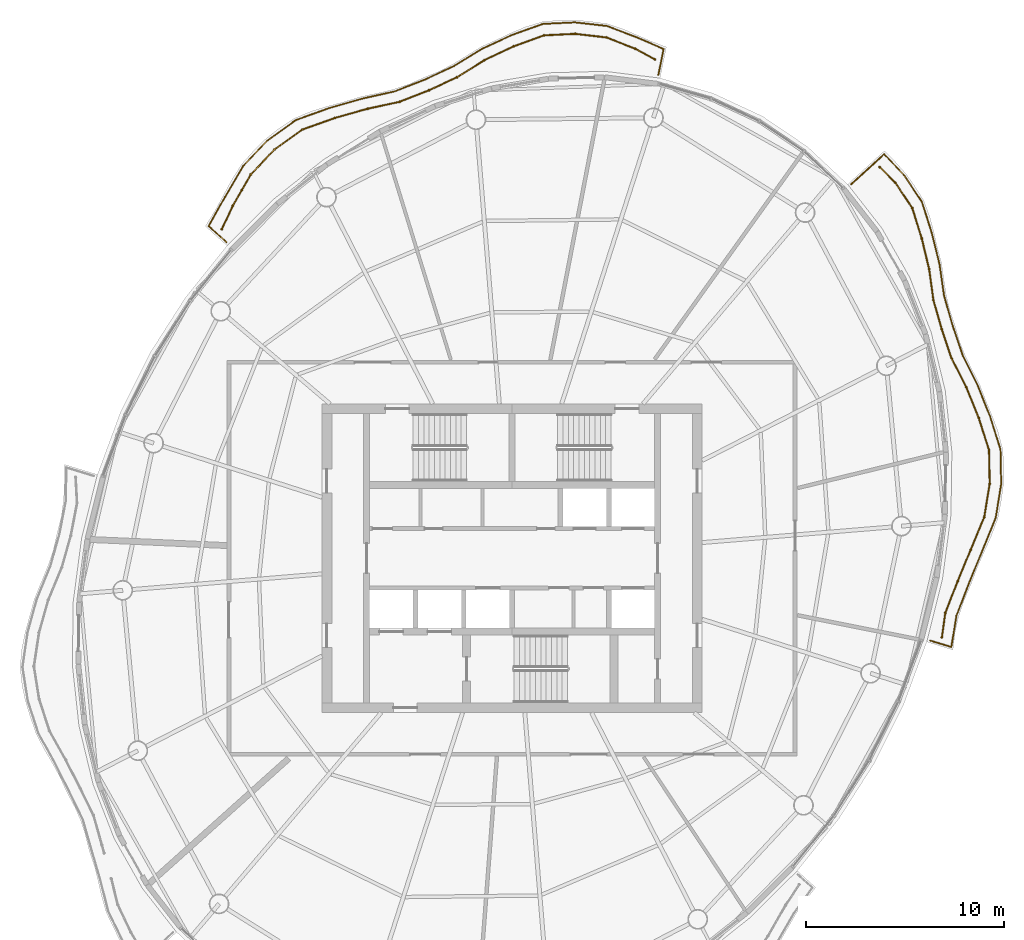
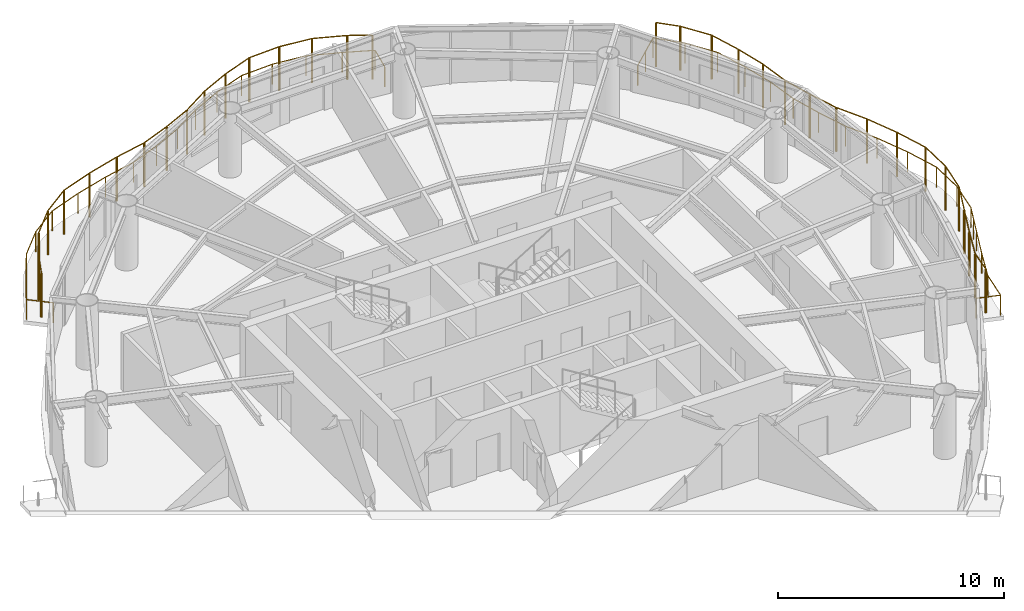
# One storey, part 13 of 13: 4 railings.
"""IFC4 building model written with IfcOpenShell, lengths in metres."""

from ifc_helpers import new_model, si_unit, direction, frame, origin, origin_2d, place, context, subcontext, project, spatial, circle, extrude, material, type_object, element, save


model = new_model("IFC4")

# Units and contexts
model_context = context("Model", 3, precision=1e-05, world=origin(), true_north=direction((0.0, 1.0)))
body_context = subcontext(model_context, "Body", "Model", "MODEL_VIEW")
ifc_project = project(units=[si_unit("LENGTHUNIT", "METRE"), si_unit("AREAUNIT", "SQUARE_METRE"), si_unit("VOLUMEUNIT", "CUBIC_METRE"), si_unit("PLANEANGLEUNIT", "RADIAN"), si_unit("MASSUNIT", "GRAM", prefix="KILO")], contexts=[model_context])

# Site, building, storey
site_placement = place(None, origin())
site = spatial("IfcSite", under=ifc_project, at=site_placement, CompositionType="ELEMENT")
building_placement = place(site_placement, origin())
building = spatial("IfcBuilding", under=site, at=building_placement, Name="Vermilion Reach Broadcast Tower", CompositionType="ELEMENT")
storey_placement = place(building_placement, frame((0.0, 0.0, 275.699951171875)))
storey = spatial("IfcBuildingStorey", under=building, at=storey_placement, Name="L68", CompositionType="ELEMENT", Elevation=275.699951171875)

# Railings
ifc_material_1 = material(Name="Terracotta baguette", Category="masonry")
railing_type_1 = type_object("IfcRailingType", Name="BAGUETTE SCREEN", PredefinedType="USERDEFINED", material=ifc_material_1)
railing_1_placement = place(storey_placement, frame((1.210205078125, 25.193115234375, 0.0)))
element("IfcRailing", 1, at=railing_1_placement, inside=storey, type_object=railing_type_1, Name="Baguette screen L68 group 1", ObjectType="BAGUETTE SCREEN", PredefinedType="USERDEFINED", context=body_context, shape_type="SweptSolid", body=[
    extrude(circle(Radius=0.030029296875, at=origin_2d()), frame((0.0, 0.0, 2.369873046875), z_axis=(-0.876029955715, 0.482256691701, 0.0), x_axis=(-0.482256691701, -0.876029955715, 0.0)), (0.0, 0.0, 1.0), 1.109130859375),
    extrude(circle(Radius=0.030029296875, at=origin_2d()), frame((-0.9716796875, 0.534912109375, 2.369873046875), z_axis=(-0.931564904261, 0.363575066732, 0.0), x_axis=(-0.363575066732, -0.931564904261, 0.0)), (0.0, 0.0, 1.0), 1.586181640625),
    extrude(circle(Radius=0.030029296875, at=origin_2d()), frame((-2.44921875, 1.111572265625, 2.369873046875), z_axis=(-0.993429859276, 0.114442626235, 0.0), x_axis=(-0.114442626235, -0.993429859276, 0.0)), (0.0, 0.0, 1.0), 1.5830078125),
    extrude(circle(Radius=0.030029296875, at=origin_2d()), frame((-4.021728515625, 1.292724609375, 2.369873046875), z_axis=(-0.998852301695, -0.047896548917, 0.0), x_axis=(0.047896548917, -0.998852301695, 0.0)), (0.0, 0.0, 1.0), 1.574951171875),
    extrude(circle(Radius=0.030029296875, at=origin_2d()), frame((-5.594970703125, 1.21728515625, 2.369873046875), z_axis=(-0.93977600639, -0.341790956307, 0.0), x_axis=(0.341790956307, -0.93977600639, 0.0)), (0.0, 0.0, 1.0), 1.63720703125),
    extrude(circle(Radius=0.030029296875, at=origin_2d()), frame((-7.133544921875, 0.65771484375, 2.369873046875), z_axis=(-0.904883848526, -0.425658572893, 0.0), x_axis=(0.425658572893, -0.904883848526, 0.0)), (0.0, 0.0, 1.0), 1.613525390625),
    extrude(circle(Radius=0.030029296875, at=origin_2d()), frame((-8.593505859375, -0.029052734375, 2.369873046875), z_axis=(-0.848896908954, -0.528558452745, 0.0), x_axis=(0.528558452745, -0.848896908954, 0.0)), (0.0, 0.0, 1.0), 1.646240234375),
    extrude(circle(Radius=0.030029296875, at=origin_2d()), frame((-9.990966796875, -0.899169921875, 2.369873046875), z_axis=(-0.90715800323, -0.420790158125, 0.0), x_axis=(0.420790158125, -0.90715800323, 0.0)), (0.0, 0.0, 1.0), 1.563720703125),
    extrude(circle(Radius=0.030029296875, at=origin_2d()), frame((-11.409423828125, -1.55712890625, 2.369873046875), z_axis=(-0.93066013426, -0.365884837756, 0.0), x_axis=(0.365884837756, -0.93066013426, 0.0)), (0.0, 0.0, 1.0), 1.592041015625),
    extrude(circle(Radius=0.030029296875, at=origin_2d()), frame((-12.89111328125, -2.1396484375, 2.369873046875), z_axis=(-0.977379571209, -0.211492727496, 0.0), x_axis=(0.211492727496, -0.977379571209, 0.0)), (0.0, 0.0, 1.0), 1.6552734375),
    extrude(circle(Radius=0.030029296875, at=origin_2d()), frame((-14.509033203125, -2.48974609375, 2.369873046875), z_axis=(-0.962477258141, -0.271362354722, 0.0), x_axis=(0.271362354722, -0.962477258141, 0.0)), (0.0, 0.0, 1.0), 1.71923828125),
    extrude(circle(Radius=0.030029296875, at=origin_2d()), frame((-16.163818359375, -2.956298828125, 2.369873046875), z_axis=(-0.942384922519, -0.334530503555, 0.0), x_axis=(0.334530503555, -0.942384922519, 0.0)), (0.0, 0.0, 1.0), 1.739013671875),
    extrude(circle(Radius=0.030029296875, at=origin_2d()), frame((-17.802734375, -3.5380859375, 2.369873046875), z_axis=(-0.812675972948, -0.582715850989, 0.0), x_axis=(0.582715850989, -0.812675972948, 0.0)), (0.0, 0.0, 1.0), 1.733642578125),
    extrude(circle(Radius=0.030029296875, at=origin_2d()), frame((-19.211669921875, -4.54833984375, 2.369873046875), z_axis=(-0.687799242655, -0.725900958673, 0.0), x_axis=(0.725900958673, -0.687799242655, 0.0)), (0.0, 0.0, 1.0), 1.736572265625),
    extrude(circle(Radius=0.030029296875, at=origin_2d()), frame((-20.406005859375, -5.808837890625, 2.369873046875), z_axis=(-0.500919080353, -0.865494121839, 0.0), x_axis=(0.865494121839, -0.500919080353, 0.0)), (0.0, 0.0, 1.0), 1.806640625),
    extrude(circle(Radius=0.030029296875, at=origin_2d()), frame((-21.31103515625, -7.37255859375, 2.369873046875), z_axis=(-0.422006036506, -0.906593020684, 0.0), x_axis=(0.906593020684, -0.422006036506, 0.0)), (0.0, 0.0, 1.0), 1.322509765625),
    extrude(circle(Radius=0.050048828125, at=origin_2d()), origin(), (0.0, 0.0, 1.0), 2.33984375),
    extrude(circle(Radius=0.050048828125, at=origin_2d()), frame((-0.9716796875, 0.534912109375, 0.0)), (0.0, 0.0, 1.0), 2.33984375),
    extrude(circle(Radius=0.050048828125, at=origin_2d()), frame((-2.44921875, 1.111572265625, 0.0)), (0.0, 0.0, 1.0), 2.33984375),
    extrude(circle(Radius=0.050048828125, at=origin_2d()), frame((-4.021728515625, 1.292724609375, 0.0)), (0.0, 0.0, 1.0), 2.33984375),
    extrude(circle(Radius=0.050048828125, at=origin_2d()), frame((-5.594970703125, 1.21728515625, 0.0)), (0.0, 0.0, 1.0), 2.33984375),
    extrude(circle(Radius=0.050048828125, at=origin_2d()), frame((-7.133544921875, 0.65771484375, 0.0)), (0.0, 0.0, 1.0), 2.33984375),
    extrude(circle(Radius=0.050048828125, at=origin_2d()), frame((-8.593505859375, -0.029052734375, 0.0)), (0.0, 0.0, 1.0), 2.33984375),
    extrude(circle(Radius=0.050048828125, at=origin_2d()), frame((-9.990966796875, -0.899169921875, 0.0)), (0.0, 0.0, 1.0), 2.33984375),
    extrude(circle(Radius=0.050048828125, at=origin_2d()), frame((-11.409423828125, -1.55712890625, 0.0)), (0.0, 0.0, 1.0), 2.33984375),
    extrude(circle(Radius=0.050048828125, at=origin_2d()), frame((-12.89111328125, -2.1396484375, 0.0)), (0.0, 0.0, 1.0), 2.33984375),
    extrude(circle(Radius=0.050048828125, at=origin_2d()), frame((-14.509033203125, -2.48974609375, 0.0)), (0.0, 0.0, 1.0), 2.33984375),
    extrude(circle(Radius=0.050048828125, at=origin_2d()), frame((-16.163818359375, -2.956298828125, 0.0)), (0.0, 0.0, 1.0), 2.33984375),
    extrude(circle(Radius=0.050048828125, at=origin_2d()), frame((-17.802734375, -3.5380859375, 0.0)), (0.0, 0.0, 1.0), 2.33984375),
    extrude(circle(Radius=0.050048828125, at=origin_2d()), frame((-19.211669921875, -4.54833984375, 0.0)), (0.0, 0.0, 1.0), 2.33984375),
    extrude(circle(Radius=0.050048828125, at=origin_2d()), frame((-20.406005859375, -5.808837890625, 0.0)), (0.0, 0.0, 1.0), 2.33984375),
    extrude(circle(Radius=0.050048828125, at=origin_2d()), frame((-20.8583984375, -6.5908203125, 0.0)), (0.0, 0.0, 1.0), 2.33984375),
    extrude(circle(Radius=0.050048828125, at=origin_2d()), frame((-21.31103515625, -7.37255859375, 0.0)), (0.0, 0.0, 1.0), 2.33984375),
    extrude(circle(Radius=0.050048828125, at=origin_2d()), frame((-21.869140625, -8.571533203125, 0.0)), (0.0, 0.0, 1.0), 2.33984375),
])
railing_2_placement = place(storey_placement, frame((15.709228515625, -3.993408203125, 0.0)))
element("IfcRailing", 2, at=railing_2_placement, inside=storey, type_object=railing_type_1, Name="Baguette screen L68 group 4", ObjectType="BAGUETTE SCREEN", PredefinedType="USERDEFINED", context=body_context, shape_type="SweptSolid", body=[
    extrude(circle(Radius=0.030029296875, at=origin_2d()), frame((0.0, 0.0, 2.369873046875), z_axis=(0.137766250914, 0.990464769747, 0.0), x_axis=(-0.990464769747, 0.137766250914, 0.0)), (0.0, 0.0, 1.0), 1.244140625),
    extrude(circle(Radius=0.030029296875, at=origin_2d()), frame((0.17138671875, 1.232177734375, 2.369873046875), z_axis=(0.362618829221, 0.931937543344, 0.0), x_axis=(-0.931937543344, 0.362618829221, 0.0)), (0.0, 0.0, 1.0), 1.706787109375),
    extrude(circle(Radius=0.030029296875, at=origin_2d()), frame((0.790283203125, 2.82275390625, 2.369873046875), z_axis=(0.382222632786, 0.924070267342, 0.0), x_axis=(-0.924070267342, 0.382222632786, 0.0)), (0.0, 0.0, 1.0), 1.725341796875),
    extrude(circle(Radius=0.030029296875, at=origin_2d()), frame((1.44970703125, 4.4169921875, 2.369873046875), z_axis=(0.384595940894, 0.923085024387, 0.0), x_axis=(-0.923085024387, 0.384595940894, 0.0)), (0.0, 0.0, 1.0), 1.783203125),
    extrude(circle(Radius=0.030029296875, at=origin_2d()), frame((2.135498046875, 6.06298828125, 2.369873046875), z_axis=(0.162799478712, 0.986659176074, 0.0), x_axis=(-0.986659176074, 0.162799478712, 0.0)), (0.0, 0.0, 1.0), 1.7080078125),
    extrude(circle(Radius=0.030029296875, at=origin_2d()), frame((2.41357421875, 7.748291015625, 2.369873046875), z_axis=(-0.020599434042, 0.999787809146, 0.0), x_axis=(-0.999787809146, -0.020599434042, 0.0)), (0.0, 0.0, 1.0), 1.70654296875),
    extrude(circle(Radius=0.030029296875, at=origin_2d()), frame((2.37841796875, 9.45458984375, 2.369873046875), z_axis=(-0.303984797063, 0.95267688287, 0.0), x_axis=(-0.95267688287, -0.303984797063, 0.0)), (0.0, 0.0, 1.0), 1.70263671875),
    extrude(circle(Radius=0.030029296875, at=origin_2d()), frame((1.86083984375, 11.07666015625, 2.369873046875), z_axis=(-0.376225668654, 0.92652806015, 0.0), x_axis=(-0.92652806015, -0.376225668654, 0.0)), (0.0, 0.0, 1.0), 1.687255859375),
    extrude(circle(Radius=0.030029296875, at=origin_2d()), frame((1.22607421875, 12.639892578125, 2.369873046875), z_axis=(-0.453799970821, 0.891103577865, 0.0), x_axis=(-0.891103577865, -0.453799970821, 0.0)), (0.0, 0.0, 1.0), 1.6279296875),
    extrude(circle(Radius=0.030029296875, at=origin_2d()), frame((0.4873046875, 14.090576171875, 2.369873046875), z_axis=(-0.321065484137, 0.947056996646, 0.0), x_axis=(-0.947056996646, -0.321065484137, 0.0)), (0.0, 0.0, 1.0), 1.55810546875),
    extrude(circle(Radius=0.030029296875, at=origin_2d()), frame((-0.012939453125, 15.566162109375, 2.369873046875), z_axis=(-0.273447711897, 0.961886869054, 0.0), x_axis=(-0.961886869054, -0.273447711897, 0.0)), (0.0, 0.0, 1.0), 1.51953125),
    extrude(circle(Radius=0.030029296875, at=origin_2d()), frame((-0.428466796875, 17.02783203125, 2.369873046875), z_axis=(-0.137668528631, 0.990478357272, 0.0), x_axis=(-0.990478357272, -0.137668528631, 0.0)), (0.0, 0.0, 1.0), 1.59423828125),
    extrude(circle(Radius=0.030029296875, at=origin_2d()), frame((-0.64794921875, 18.60693359375, 2.369873046875), z_axis=(-0.234943508354, 0.972009026647, 0.0), x_axis=(-0.972009026647, -0.234943508354, 0.0)), (0.0, 0.0, 1.0), 1.575439453125),
    extrude(circle(Radius=0.030029296875, at=origin_2d()), frame((-1.01806640625, 20.13818359375, 2.369873046875), z_axis=(-0.29640397631, 0.955062659111, 0.0), x_axis=(-0.955062659111, -0.29640397631, 0.0)), (0.0, 0.0, 1.0), 1.61279296875),
    extrude(circle(Radius=0.030029296875, at=origin_2d()), frame((-1.49609375, 21.678466796875, 2.369873046875), z_axis=(-0.555245016862, 0.831686822819, 0.0), x_axis=(-0.831686822819, -0.555245016862, 0.0)), (0.0, 0.0, 1.0), 1.55078125),
    extrude(circle(Radius=0.030029296875, at=origin_2d()), frame((-2.357177734375, 22.96826171875, 2.369873046875), z_axis=(-0.708536942199, 0.70567372173, 0.0), x_axis=(-0.70567372173, -0.708536942199, 0.0)), (0.0, 0.0, 1.0), 1.1083984375),
    extrude(circle(Radius=0.050048828125, at=origin_2d()), origin(), (0.0, 0.0, 1.0), 2.33984375),
    extrude(circle(Radius=0.050048828125, at=origin_2d()), frame((0.17138671875, 1.232177734375, 0.0)), (0.0, 0.0, 1.0), 2.33984375),
    extrude(circle(Radius=0.050048828125, at=origin_2d()), frame((0.790283203125, 2.82275390625, 0.0)), (0.0, 0.0, 1.0), 2.33984375),
    extrude(circle(Radius=0.050048828125, at=origin_2d()), frame((1.44970703125, 4.4169921875, 0.0)), (0.0, 0.0, 1.0), 2.33984375),
    extrude(circle(Radius=0.050048828125, at=origin_2d()), frame((2.135498046875, 6.06298828125, 0.0)), (0.0, 0.0, 1.0), 2.33984375),
    extrude(circle(Radius=0.050048828125, at=origin_2d()), frame((2.41357421875, 7.748291015625, 0.0)), (0.0, 0.0, 1.0), 2.33984375),
    extrude(circle(Radius=0.050048828125, at=origin_2d()), frame((2.37841796875, 9.45458984375, 0.0)), (0.0, 0.0, 1.0), 2.33984375),
    extrude(circle(Radius=0.050048828125, at=origin_2d()), frame((1.86083984375, 11.07666015625, 0.0)), (0.0, 0.0, 1.0), 2.33984375),
    extrude(circle(Radius=0.050048828125, at=origin_2d()), frame((1.22607421875, 12.639892578125, 0.0)), (0.0, 0.0, 1.0), 2.33984375),
    extrude(circle(Radius=0.050048828125, at=origin_2d()), frame((0.4873046875, 14.090576171875, 0.0)), (0.0, 0.0, 1.0), 2.33984375),
    extrude(circle(Radius=0.050048828125, at=origin_2d()), frame((-0.012939453125, 15.566162109375, 0.0)), (0.0, 0.0, 1.0), 2.33984375),
    extrude(circle(Radius=0.050048828125, at=origin_2d()), frame((-0.428466796875, 17.02783203125, 0.0)), (0.0, 0.0, 1.0), 2.33984375),
    extrude(circle(Radius=0.050048828125, at=origin_2d()), frame((-0.64794921875, 18.60693359375, 0.0)), (0.0, 0.0, 1.0), 2.33984375),
    extrude(circle(Radius=0.050048828125, at=origin_2d()), frame((-1.01806640625, 20.13818359375, 0.0)), (0.0, 0.0, 1.0), 2.33984375),
    extrude(circle(Radius=0.050048828125, at=origin_2d()), frame((-1.49609375, 21.678466796875, 0.0)), (0.0, 0.0, 1.0), 2.33984375),
    extrude(circle(Radius=0.050048828125, at=origin_2d()), frame((-2.357177734375, 22.96826171875, 0.0)), (0.0, 0.0, 1.0), 2.33984375),
    extrude(circle(Radius=0.050048828125, at=origin_2d()), frame((-3.142578125, 23.75048828125, 0.0)), (0.0, 0.0, 1.0), 2.33984375),
])
ifc_material_2 = material(Name="Stainless steel 316 balustrade", Category="steel")
railing_type_2 = type_object("IfcRailingType", Name="Balcony guard 1100", PredefinedType="BALUSTRADE", material=ifc_material_2)
railing_3_placement = place(storey_placement, frame((1.387451171875, 24.41064453125, 0.0)))
element("IfcRailing", 3, at=railing_3_placement, inside=storey, type_object=railing_type_2, Name="Balcony guard L68 group 1", PredefinedType="BALUSTRADE", context=body_context, shape_type="SweptSolid", body=[
    extrude(circle(Radius=0.02490234375, at=origin_2d()), frame((0.0, 0.0, 1.0751953125), z_axis=(0.198468086811, 0.980107350507, 0.0), x_axis=(-0.980107350507, 0.198468086811, 0.0)), (0.0, 0.0, 1.0), 1.337158203125),
    extrude(circle(Radius=0.02490234375, at=origin_2d()), frame((0.265380859375, 1.310546875, 1.0751953125), z_axis=(-0.917446089189, 0.397860117921, 0.0), x_axis=(-0.397860117921, -0.917446089189, 0.0)), (0.0, 0.0, 1.0), 1.464111328125),
    extrude(circle(Radius=0.02490234375, at=origin_2d()), frame((-1.077880859375, 1.89306640625, 1.0751953125), z_axis=(-0.934285618261, 0.356525431788, 0.0), x_axis=(-0.356525431788, -0.934285618261, 0.0)), (0.0, 0.0, 1.0), 1.627685546875),
    extrude(circle(Radius=0.02490234375, at=origin_2d()), frame((-2.5986328125, 2.473388671875, 1.0751953125), z_axis=(-0.993756730227, 0.111568638646, 0.0), x_axis=(-0.111568638646, -0.993756730227, 0.0)), (0.0, 0.0, 1.0), 1.6259765625),
    extrude(circle(Radius=0.02490234375, at=origin_2d()), frame((-4.21435546875, 2.65478515625, 1.0751953125), z_axis=(-0.998845816639, -0.048031599832, 0.0), x_axis=(0.048031599832, -0.998845816639, 0.0)), (0.0, 0.0, 1.0), 1.616455078125),
    extrude(circle(Radius=0.02490234375, at=origin_2d()), frame((-5.828857421875, 2.5771484375, 1.0751953125), z_axis=(-0.941527684804, -0.336935629977, 0.0), x_axis=(0.336935629977, -0.941527684804, 0.0)), (0.0, 0.0, 1.0), 1.677490234375),
    extrude(circle(Radius=0.02490234375, at=origin_2d()), frame((-7.408203125, 2.011962890625, 1.0751953125), z_axis=(-0.907278971019, -0.420529272165, 0.0), x_axis=(0.420529272165, -0.907278971019, 0.0)), (0.0, 0.0, 1.0), 1.651611328125),
    extrude(circle(Radius=0.02490234375, at=origin_2d()), frame((-8.90673828125, 1.3173828125, 1.0751953125), z_axis=(-0.852319790515, -0.523021007892, 0.0), x_axis=(0.523021007892, -0.852319790515, 0.0)), (0.0, 0.0, 1.0), 1.68359375),
    extrude(circle(Radius=0.02490234375, at=origin_2d()), frame((-10.341796875, 0.436767578125, 1.0751953125), z_axis=(-0.908075410014, -0.418806697329, 0.0), x_axis=(0.418806697329, -0.908075410014, 0.0)), (0.0, 0.0, 1.0), 1.600830078125),
    extrude(circle(Radius=0.02490234375, at=origin_2d()), frame((-11.79541015625, -0.233642578125, 1.0751953125), z_axis=(-0.930478053056, -0.366347639247, 0.0), x_axis=(0.366347639247, -0.930478053056, 0.0)), (0.0, 0.0, 1.0), 1.62939453125),
    extrude(circle(Radius=0.02490234375, at=origin_2d()), frame((-13.3115234375, -0.83056640625, 1.0751953125), z_axis=(-0.976258408506, -0.216609140668, 0.0), x_axis=(0.216609140668, -0.976258408506, 0.0)), (0.0, 0.0, 1.0), 1.689453125),
    extrude(circle(Radius=0.02490234375, at=origin_2d()), frame((-14.9609375, -1.196533203125, 1.0751953125), z_axis=(-0.961113184447, -0.276154751331, 0.0), x_axis=(0.276154751331, -0.961113184447, 0.0)), (0.0, 0.0, 1.0), 1.75390625),
    extrude(circle(Radius=0.02490234375, at=origin_2d()), frame((-16.646728515625, -1.680908203125, 1.0751953125), z_axis=(-0.940831181661, -0.338875622631, 0.0), x_axis=(0.338875622631, -0.940831181661, 0.0)), (0.0, 0.0, 1.0), 1.771484375),
    extrude(circle(Radius=0.02490234375, at=origin_2d()), frame((-18.3134765625, -2.28125, 1.0751953125), z_axis=(-0.812481376315, -0.582987146635, 0.0), x_axis=(0.582987146635, -0.812481376315, 0.0)), (0.0, 0.0, 1.0), 1.76806640625),
    extrude(circle(Radius=0.02490234375, at=origin_2d()), frame((-19.75, -3.31201171875, 1.0751953125), z_axis=(-0.689286236916, -0.724489119034, 0.0), x_axis=(0.724489119034, -0.689286236916, 0.0)), (0.0, 0.0, 1.0), 1.7685546875),
    extrude(circle(Radius=0.02490234375, at=origin_2d()), frame((-20.968994140625, -4.59326171875, 1.0751953125), z_axis=(-0.505364967527, -0.862905701451, 0.0), x_axis=(0.862905701451, -0.505364967527, 0.0)), (0.0, 0.0, 1.0), 1.838134765625),
    extrude(circle(Radius=0.02490234375, at=origin_2d()), frame((-21.89794921875, -6.179443359375, 1.0751953125), z_axis=(-0.487916531735, -0.872890289818, 0.0), x_axis=(0.872890289818, -0.487916531735, 0.0)), (0.0, 0.0, 1.0), 1.667236328125),
    extrude(circle(Radius=0.02490234375, at=origin_2d()), frame((-22.71142578125, -7.634765625, 1.0751953125), z_axis=(0.744089837802, -0.668079571069, 0.0), x_axis=(0.668079571069, 0.744089837802, 0.0)), (0.0, 0.0, 1.0), 1.20458984375),
    extrude(circle(Radius=0.02490234375, at=origin_2d()), origin(), (0.0, 0.0, 1.0), 1.050048828125),
    extrude(circle(Radius=0.02490234375, at=origin_2d()), frame((0.265380859375, 1.310546875, 0.0)), (0.0, 0.0, 1.0), 1.050048828125),
    extrude(circle(Radius=0.02490234375, at=origin_2d()), frame((-1.077880859375, 1.89306640625, 0.0)), (0.0, 0.0, 1.0), 1.050048828125),
    extrude(circle(Radius=0.02490234375, at=origin_2d()), frame((-2.5986328125, 2.473388671875, 0.0)), (0.0, 0.0, 1.0), 1.050048828125),
    extrude(circle(Radius=0.02490234375, at=origin_2d()), frame((-4.21435546875, 2.65478515625, 0.0)), (0.0, 0.0, 1.0), 1.050048828125),
    extrude(circle(Radius=0.02490234375, at=origin_2d()), frame((-5.828857421875, 2.5771484375, 0.0)), (0.0, 0.0, 1.0), 1.050048828125),
    extrude(circle(Radius=0.02490234375, at=origin_2d()), frame((-7.408203125, 2.011962890625, 0.0)), (0.0, 0.0, 1.0), 1.050048828125),
    extrude(circle(Radius=0.02490234375, at=origin_2d()), frame((-8.90673828125, 1.3173828125, 0.0)), (0.0, 0.0, 1.0), 1.050048828125),
    extrude(circle(Radius=0.02490234375, at=origin_2d()), frame((-10.341796875, 0.436767578125, 0.0)), (0.0, 0.0, 1.0), 1.050048828125),
    extrude(circle(Radius=0.02490234375, at=origin_2d()), frame((-11.79541015625, -0.233642578125, 0.0)), (0.0, 0.0, 1.0), 1.050048828125),
    extrude(circle(Radius=0.02490234375, at=origin_2d()), frame((-13.3115234375, -0.83056640625, 0.0)), (0.0, 0.0, 1.0), 1.050048828125),
    extrude(circle(Radius=0.02490234375, at=origin_2d()), frame((-14.9609375, -1.196533203125, 0.0)), (0.0, 0.0, 1.0), 1.050048828125),
    extrude(circle(Radius=0.02490234375, at=origin_2d()), frame((-16.646728515625, -1.680908203125, 0.0)), (0.0, 0.0, 1.0), 1.050048828125),
    extrude(circle(Radius=0.02490234375, at=origin_2d()), frame((-18.3134765625, -2.28125, 0.0)), (0.0, 0.0, 1.0), 1.050048828125),
    extrude(circle(Radius=0.02490234375, at=origin_2d()), frame((-19.75, -3.31201171875, 0.0)), (0.0, 0.0, 1.0), 1.050048828125),
    extrude(circle(Radius=0.02490234375, at=origin_2d()), frame((-20.968994140625, -4.59326171875, 0.0)), (0.0, 0.0, 1.0), 1.050048828125),
    extrude(circle(Radius=0.02490234375, at=origin_2d()), frame((-21.43359375, -5.38623046875, 0.0)), (0.0, 0.0, 1.0), 1.050048828125),
    extrude(circle(Radius=0.02490234375, at=origin_2d()), frame((-21.89794921875, -6.179443359375, 0.0)), (0.0, 0.0, 1.0), 1.050048828125),
    extrude(circle(Radius=0.02490234375, at=origin_2d()), frame((-22.71142578125, -7.634765625, 0.0)), (0.0, 0.0, 1.0), 1.050048828125),
    extrude(circle(Radius=0.02490234375, at=origin_2d()), frame((-21.815185546875, -8.439453125, 0.0)), (0.0, 0.0, 1.0), 1.050048828125),
])
railing_4_placement = place(storey_placement, frame((15.117919921875, -4.156005859375, 0.0)))
element("IfcRailing", 4, at=railing_4_placement, inside=storey, type_object=railing_type_2, Name="Balcony guard L68 group 4", PredefinedType="BALUSTRADE", context=body_context, shape_type="SweptSolid", body=[
    extrude(circle(Radius=0.02490234375, at=origin_2d()), frame((0.0, 0.0, 1.0751953125), z_axis=(0.955679565642, -0.294408844661, 0.0), x_axis=(0.294408844661, 0.955679565642, 0.0)), (0.0, 0.0, 1.0), 1.115234375),
    extrude(circle(Radius=0.02490234375, at=origin_2d()), frame((1.06591796875, -0.328369140625, 1.0751953125), z_axis=(0.161758021778, 0.986830452707, 0.0), x_axis=(-0.986830452707, 0.161758021778, 0.0)), (0.0, 0.0, 1.0), 1.6044921875),
    extrude(circle(Radius=0.02490234375, at=origin_2d()), frame((1.325439453125, 1.2548828125, 1.0751953125), z_axis=(0.359985552847, 0.932957877796, 0.0), x_axis=(-0.932957877796, 0.359985552847, 0.0)), (0.0, 0.0, 1.0), 1.739013671875),
    extrude(circle(Radius=0.02490234375, at=origin_2d()), frame((1.951416015625, 2.877197265625, 1.0751953125), z_axis=(0.378351492178, 0.925662005468, 0.0), x_axis=(-0.925662005468, 0.378351492178, 0.0)), (0.0, 0.0, 1.0), 1.757080078125),
    extrude(circle(Radius=0.02490234375, at=origin_2d()), frame((2.6162109375, 4.503662109375, 1.0751953125), z_axis=(0.379559307096, 0.925167407768, 0.0), x_axis=(-0.925167407768, 0.379559307096, 0.0)), (0.0, 0.0, 1.0), 1.81591796875),
    extrude(circle(Radius=0.02490234375, at=origin_2d()), frame((3.305419921875, 6.18359375, 1.0751953125), z_axis=(0.160488245604, 0.987037751569, 0.0), x_axis=(-0.987037751569, 0.160488245604, 0.0)), (0.0, 0.0, 1.0), 1.74169921875),
    extrude(circle(Radius=0.02490234375, at=origin_2d()), frame((3.5849609375, 7.90283203125, 1.0751953125), z_axis=(-0.020604064758, 0.999787713725, 0.0), x_axis=(-0.999787713725, -0.020604064758, 0.0)), (0.0, 0.0, 1.0), 1.741943359375),
    extrude(circle(Radius=0.02490234375, at=origin_2d()), frame((3.549072265625, 9.644287109375, 1.0751953125), z_axis=(-0.299651166062, 0.954048834535, 0.0), x_axis=(-0.954048834535, -0.299651166062, 0.0)), (0.0, 0.0, 1.0), 1.737060546875),
    extrude(circle(Radius=0.02490234375, at=origin_2d()), frame((3.028564453125, 11.301513671875, 1.0751953125), z_axis=(-0.371268559787, 0.928525528197, 0.0), x_axis=(-0.928525528197, -0.371268559787, 0.0)), (0.0, 0.0, 1.0), 1.7236328125),
    extrude(circle(Radius=0.02490234375, at=origin_2d()), frame((2.388671875, 12.90185546875, 1.0751953125), z_axis=(-0.448445809821, 0.893810022127, 0.0), x_axis=(-0.893810022127, -0.448445809821, 0.0)), (0.0, 0.0, 1.0), 1.663818359375),
    extrude(circle(Radius=0.02490234375, at=origin_2d()), frame((1.642578125, 14.388916015625, 1.0751953125), z_axis=(-0.319756346259, 0.947499804236, 0.0), x_axis=(-0.947499804236, -0.319756346259, 0.0)), (0.0, 0.0, 1.0), 1.59716796875),
    extrude(circle(Radius=0.02490234375, at=origin_2d()), frame((1.1318359375, 15.90234375, 1.0751953125), z_axis=(-0.275052115153, 0.961429318229, 0.0), x_axis=(-0.961429318229, -0.275052115153, 0.0)), (0.0, 0.0, 1.0), 1.55859375),
    extrude(circle(Radius=0.02490234375, at=origin_2d()), frame((0.703125, 17.40087890625, 1.0751953125), z_axis=(-0.144160613212, 0.989554302501, 0.0), x_axis=(-0.989554302501, -0.144160613212, 0.0)), (0.0, 0.0, 1.0), 1.63427734375),
    extrude(circle(Radius=0.02490234375, at=origin_2d()), frame((0.467529296875, 19.01806640625, 1.0751953125), z_axis=(-0.240899531747, 0.970550058268, 0.0), x_axis=(-0.970550058268, -0.240899531747, 0.0)), (0.0, 0.0, 1.0), 1.615478515625),
    extrude(circle(Radius=0.02490234375, at=origin_2d()), frame((0.078369140625, 20.5859375, 1.0751953125), z_axis=(-0.302472750317, 0.953158032708, 0.0), x_axis=(-0.953158032708, -0.302472750317, 0.0)), (0.0, 0.0, 1.0), 1.654541015625),
    extrude(circle(Radius=0.02490234375, at=origin_2d()), frame((-0.422119140625, 22.1630859375, 1.0751953125), z_axis=(-0.556148548166, 0.831082903429, 0.0), x_axis=(-0.831082903429, -0.556148548166, 0.0)), (0.0, 0.0, 1.0), 1.593994140625),
    extrude(circle(Radius=0.02490234375, at=origin_2d()), frame((-1.30859375, 23.48779296875, 1.0751953125), z_axis=(-0.686797742024, 0.726848582272, 0.0), x_axis=(-0.726848582272, -0.686797742024, 0.0)), (0.0, 0.0, 1.0), 1.481201171875),
    extrude(circle(Radius=0.02490234375, at=origin_2d()), frame((-2.325927734375, 24.564453125, 1.0751953125), z_axis=(-0.738370260809, -0.674395550069, 0.0), x_axis=(0.674395550069, -0.738370260809, 0.0)), (0.0, 0.0, 1.0), 2.247802734375),
    extrude(circle(Radius=0.02490234375, at=origin_2d()), origin(), (0.0, 0.0, 1.0), 1.050048828125),
    extrude(circle(Radius=0.02490234375, at=origin_2d()), frame((1.06591796875, -0.328369140625, 0.0)), (0.0, 0.0, 1.0), 1.050048828125),
    extrude(circle(Radius=0.02490234375, at=origin_2d()), frame((1.325439453125, 1.2548828125, 0.0)), (0.0, 0.0, 1.0), 1.050048828125),
    extrude(circle(Radius=0.02490234375, at=origin_2d()), frame((1.951416015625, 2.877197265625, 0.0)), (0.0, 0.0, 1.0), 1.050048828125),
    extrude(circle(Radius=0.02490234375, at=origin_2d()), frame((2.6162109375, 4.503662109375, 0.0)), (0.0, 0.0, 1.0), 1.050048828125),
    extrude(circle(Radius=0.02490234375, at=origin_2d()), frame((2.9609375, 5.34375, 0.0)), (0.0, 0.0, 1.0), 1.050048828125),
    extrude(circle(Radius=0.02490234375, at=origin_2d()), frame((3.305419921875, 6.18359375, 0.0)), (0.0, 0.0, 1.0), 1.050048828125),
    extrude(circle(Radius=0.02490234375, at=origin_2d()), frame((3.5849609375, 7.90283203125, 0.0)), (0.0, 0.0, 1.0), 1.050048828125),
    extrude(circle(Radius=0.02490234375, at=origin_2d()), frame((3.549072265625, 9.644287109375, 0.0)), (0.0, 0.0, 1.0), 1.050048828125),
    extrude(circle(Radius=0.02490234375, at=origin_2d()), frame((3.028564453125, 11.301513671875, 0.0)), (0.0, 0.0, 1.0), 1.050048828125),
    extrude(circle(Radius=0.02490234375, at=origin_2d()), frame((2.388671875, 12.90185546875, 0.0)), (0.0, 0.0, 1.0), 1.050048828125),
    extrude(circle(Radius=0.02490234375, at=origin_2d()), frame((1.642578125, 14.388916015625, 0.0)), (0.0, 0.0, 1.0), 1.050048828125),
    extrude(circle(Radius=0.02490234375, at=origin_2d()), frame((1.1318359375, 15.90234375, 0.0)), (0.0, 0.0, 1.0), 1.050048828125),
    extrude(circle(Radius=0.02490234375, at=origin_2d()), frame((0.703125, 17.40087890625, 0.0)), (0.0, 0.0, 1.0), 1.050048828125),
    extrude(circle(Radius=0.02490234375, at=origin_2d()), frame((0.467529296875, 19.01806640625, 0.0)), (0.0, 0.0, 1.0), 1.050048828125),
    extrude(circle(Radius=0.02490234375, at=origin_2d()), frame((0.078369140625, 20.5859375, 0.0)), (0.0, 0.0, 1.0), 1.050048828125),
    extrude(circle(Radius=0.02490234375, at=origin_2d()), frame((-0.422119140625, 22.1630859375, 0.0)), (0.0, 0.0, 1.0), 1.050048828125),
    extrude(circle(Radius=0.02490234375, at=origin_2d()), frame((-1.30859375, 23.48779296875, 0.0)), (0.0, 0.0, 1.0), 1.050048828125),
    extrude(circle(Radius=0.02490234375, at=origin_2d()), frame((-2.325927734375, 24.564453125, 0.0)), (0.0, 0.0, 1.0), 1.050048828125),
    extrude(circle(Radius=0.02490234375, at=origin_2d()), frame((-3.15576171875, 23.806640625, 0.0)), (0.0, 0.0, 1.0), 1.050048828125),
    extrude(circle(Radius=0.02490234375, at=origin_2d()), frame((-3.985595703125, 23.048583984375, 0.0)), (0.0, 0.0, 1.0), 1.050048828125),
])

save(model, "model.ifc")
